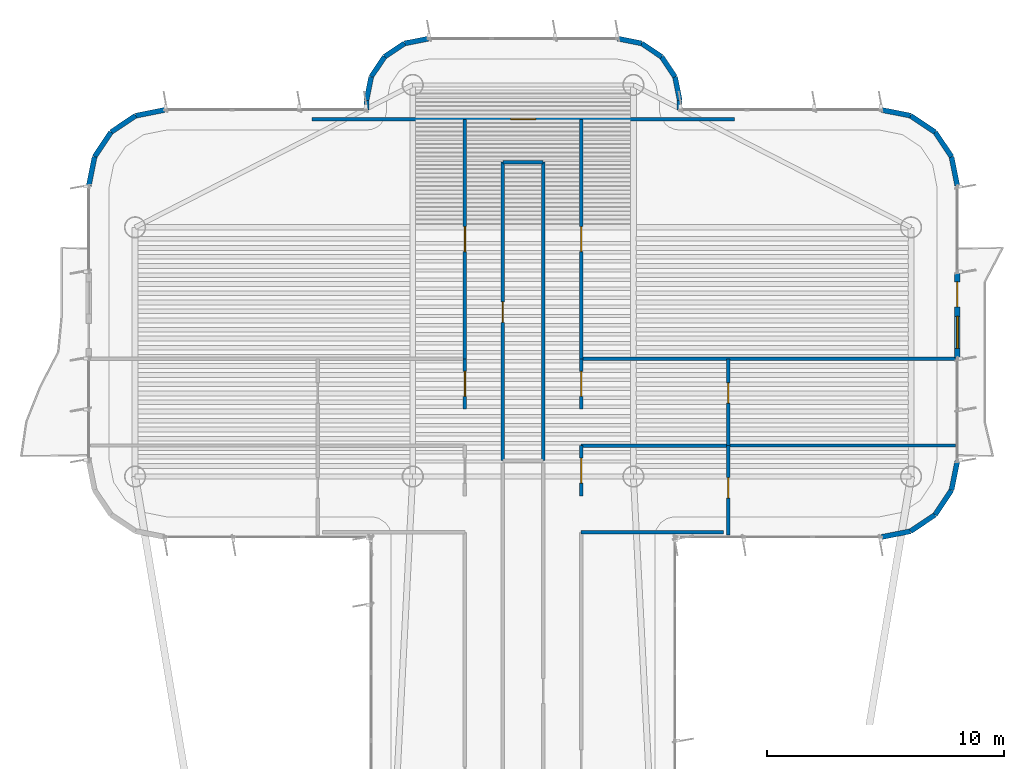
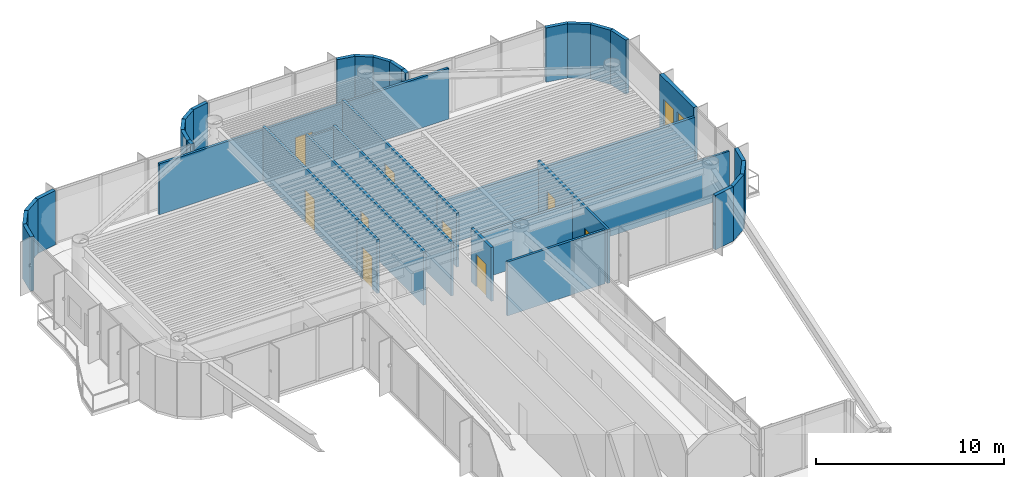
# One storey, part 12 of 15: 38 walls, 10 doors, 1 window, 11 openings.
"""IFC4 building model written with IfcOpenShell, lengths in metres."""

import ifcopenshell
import ifcopenshell.guid

model = None  # the IFC model being written
_history = None  # IfcOwnerHistory: only IFC2X3 demands one
_inside = {}  # id of a spatial element -> (the spatial element, [elements in it])
_under = {}  # id of a project, library or spatial element -> (it, [spatial elements below it])
_declared = {}  # id of a project -> (the project, [libraries it declares])
_typed = {}  # id of a type object -> (the type object, [elements of that type])
_made_of = {}  # id of a material, layer set ... -> (it, [elements and type objects made of it])


def new_model(schema):
    """Start an empty IFC model of exactly this schema.

    Asked for "IFC4X3", IfcOpenShell would pick the latest addendum, in which some entities
    have other attributes; the version numbers below select the first issue.
    IFC2X3 requires an IfcOwnerHistory on every rooted entity: one is made here for all.
    """
    global model, _history
    if schema == "IFC4X3":
        model = ifcopenshell.file(schema_version=(4, 3, 0, 0))
    else:
        model = ifcopenshell.file(schema=schema)
    _inside.clear()
    _under.clear()
    _declared.clear()
    _typed.clear()
    _made_of.clear()
    _history = None
    if model.schema == "IFC2X3":
        org = make("IfcOrganization", Name="unknown")
        user = make(
            "IfcPersonAndOrganization",
            ThePerson=make("IfcPerson", FamilyName="unknown"),
            TheOrganization=org,
        )
        app = make(
            "IfcApplication",
            ApplicationDeveloper=org,
            Version="unknown",
            ApplicationFullName="unknown",
            ApplicationIdentifier="unknown",
        )
        _history = make(
            "IfcOwnerHistory",
            OwningUser=user,
            OwningApplication=app,
            ChangeAction="ADDED",
            CreationDate=0,
        )
    return model


def make(cls, **values):
    """One entity of the class cls with the attributes given. An attribute that is None is left unset."""
    return model.create_entity(
        cls, **{name: value for name, value in values.items() if value is not None}
    )


def rooted(cls, **values):
    """An entity with a GlobalId (a new one), such as an element, a storey or a relation."""
    return make(cls, GlobalId=ifcopenshell.guid.new(), OwnerHistory=_history, **values)


def si_unit(unit_type, name, prefix=None):
    """IfcSIUnit, for example si_unit("LENGTHUNIT", "METRE", prefix="MILLI")."""
    return make("IfcSIUnit", UnitType=unit_type, Prefix=prefix, Name=name)


def assignment(units):
    """IfcUnitAssignment: the units of a project."""
    return None if units is None else make("IfcUnitAssignment", Units=units)


def point(xyz):
    """IfcCartesianPoint."""
    return None if xyz is None else make("IfcCartesianPoint", Coordinates=xyz)


def direction(xyz):
    """IfcDirection."""
    return None if xyz is None else make("IfcDirection", DirectionRatios=xyz)


def frame(location, z_axis=None, x_axis=None):
    """IfcAxis2Placement3D, a coordinate frame: its origin and axes. An axis left out is left unset."""
    return make(
        "IfcAxis2Placement3D",
        Location=point(location),
        Axis=direction(z_axis),
        RefDirection=direction(x_axis),
    )


def frame_2d(location, x_axis=None):
    """IfcAxis2Placement2D, a coordinate frame in the plane: its origin and x axis."""
    return make(
        "IfcAxis2Placement2D", Location=point(location), RefDirection=direction(x_axis)
    )


def origin():
    """The frame at (0, 0, 0) with its axes left unset."""
    return frame((0.0, 0.0, 0.0))


def origin_2d():
    """The frame at (0, 0) in the plane with its x axis left unset."""
    return frame_2d((0.0, 0.0))


def place(relative_to, where):
    """IfcLocalPlacement: puts the frame where relative to a parent placement (None: the world)."""
    return make(
        "IfcLocalPlacement", PlacementRelTo=relative_to, RelativePlacement=where
    )


def context(
    kind, dimensions, precision=None, world=None, true_north=None, identifier=None
):
    """IfcGeometricRepresentationContext, for example the 3D "Model" context."""
    return make(
        "IfcGeometricRepresentationContext",
        ContextIdentifier=identifier,
        ContextType=kind,
        CoordinateSpaceDimension=dimensions,
        Precision=precision,
        WorldCoordinateSystem=world,
        TrueNorth=true_north,
    )


def subcontext(parent, identifier, kind, view, scale=None):
    """IfcGeometricRepresentationSubContext, for example "Body" below "Model"."""
    return make(
        "IfcGeometricRepresentationSubContext",
        ContextIdentifier=identifier,
        ContextType=kind,
        ParentContext=parent,
        TargetScale=scale,
        TargetView=view,
    )


def project(units=None, contexts=None):
    """IfcProject with its units and contexts."""
    return rooted(
        "IfcProject",
        Name="project",
        RepresentationContexts=contexts,
        UnitsInContext=assignment(units),
    )


def spatial(cls, under=None, at=None, **own):
    """A site, building, storey or space (cls), placed at a placement, below another one or the project."""
    s = rooted(cls, ObjectPlacement=at, **own)
    if under is not None:
        _under.setdefault(under.id(), (under, []))[1].append(s)
    return s


def profile(cls, at=None, kind="AREA", **sizes):
    """A parametric profile (cls). Its sizes go by their IFC names, for example OverallWidth=200.0."""
    return make(cls, ProfileType=kind, Position=at, **sizes)


def rectangle(**sizes):
    """IfcRectangleProfileDef."""
    return profile("IfcRectangleProfileDef", **sizes)


def extrude(swept, where, along, depth):
    """IfcExtrudedAreaSolid: the profile swept, set in the frame where, extruded along a direction by depth."""
    return make(
        "IfcExtrudedAreaSolid",
        SweptArea=swept,
        Position=where,
        ExtrudedDirection=direction(along),
        Depth=depth,
    )


def shape(context_of_items, identifier, shape_type, items):
    """IfcShapeRepresentation: the items that make up one representation, for example the "Body"."""
    return make(
        "IfcShapeRepresentation",
        ContextOfItems=context_of_items,
        RepresentationIdentifier=identifier,
        RepresentationType=shape_type,
        Items=items,
    )


def source(mapping_origin, context_of_items, identifier, shape_type, items):
    """IfcRepresentationMap: a shape defined once, which mapped items show again and again."""
    return make(
        "IfcRepresentationMap",
        MappingOrigin=mapping_origin,
        MappedRepresentation=shape(context_of_items, identifier, shape_type, items),
    )


def transform(
    local_origin,
    x_axis=None,
    y_axis=None,
    z_axis=None,
    scale=None,
    scale2=None,
    scale3=None,
    uniform=True,
):
    """IfcCartesianTransformationOperator3D, or its non-uniform kind. x_axis, y_axis, z_axis: its Axis1, 2, 3."""
    if uniform:
        return make(
            "IfcCartesianTransformationOperator3D",
            Axis1=direction(x_axis),
            Axis2=direction(y_axis),
            LocalOrigin=point(local_origin),
            Scale=scale,
            Axis3=direction(z_axis),
        )
    return make(
        "IfcCartesianTransformationOperator3DnonUniform",
        Axis1=direction(x_axis),
        Axis2=direction(y_axis),
        LocalOrigin=point(local_origin),
        Scale=scale,
        Axis3=direction(z_axis),
        Scale2=scale2,
        Scale3=scale3,
    )


def mapped(mapping_source, mapping_target):
    """IfcMappedItem: shows the shape of a source again, moved by a transform."""
    return make(
        "IfcMappedItem", MappingSource=mapping_source, MappingTarget=mapping_target
    )


def material(Name=None, Category=None):
    """IfcMaterial."""
    return make("IfcMaterial", Name=Name, Category=Category)


def layer(
    of_material, thickness, ventilated=None, Name=None, Category=None, Priority=None
):
    """IfcMaterialLayer: one layer of a wall or slab, of a material (None: an air gap)."""
    return make(
        "IfcMaterialLayer",
        Material=of_material,
        LayerThickness=thickness,
        IsVentilated=ventilated,
        Name=Name,
        Category=Category,
        Priority=Priority,
    )


def layer_set(layers, Name=None):
    """IfcMaterialLayerSet."""
    return make("IfcMaterialLayerSet", MaterialLayers=layers, LayerSetName=Name)


def made_of(thing, what):
    """Note that an element or type object is made of a material, layer set ...; save() writes the relation."""
    if what is not None:
        _made_of.setdefault(what.id(), (what, []))[1].append(thing)
    return thing


def type_object(cls, material=None, **own):
    """A type object (cls), such as IfcWallType, which elements share."""
    return made_of(rooted(cls, **own), material)


def element(
    cls,
    number,
    at=None,
    inside=None,
    cuts=None,
    type_object=None,
    material=None,
    context=None,
    identifier="Body",
    shape_type=None,
    held_by="IfcProductDefinitionShape",
    body=None,
    shapes=None,
    **own,
):
    """One element of the class cls, such as IfcWall. Its Tag is "e" and its number.

    at: its placement. inside: the storey or other place that contains it. cuts: it is an
    opening in that element (IfcRelVoidsElement). A single representation is given by context,
    identifier, shape_type and body (its items); several are given by shapes. held_by: the class
    of the entity that holds the representations. save() writes the other relations.
    """
    e = rooted(cls, Tag="e%d" % number, ObjectPlacement=at, **own)
    if body is not None:
        shapes = [shape(context, identifier, shape_type, body)]
    if shapes is not None:
        e.Representation = make(held_by, Representations=shapes)
    if inside is not None:
        _inside.setdefault(inside.id(), (inside, []))[1].append(e)
    if cuts is not None:
        rooted(
            "IfcRelVoidsElement", RelatingBuildingElement=cuts, RelatedOpeningElement=e
        )
    if type_object is not None:
        _typed.setdefault(type_object.id(), (type_object, []))[1].append(e)
    return made_of(e, material)


def fill(opening, filler):
    """IfcRelFillsElement: the door or window that sits in an opening."""
    return rooted(
        "IfcRelFillsElement",
        RelatingOpeningElement=opening,
        RelatedBuildingElement=filler,
    )


def aggregate(whole, parts):
    """IfcRelAggregates: a whole, such as a stair, and the parts it consists of."""
    return rooted("IfcRelAggregates", RelatingObject=whole, RelatedObjects=parts)


def save(model, path):
    """Write the relations noted so far, then the file.

    IfcRelAggregates (storeys below a building ...), IfcRelContainedInSpatialStructure (elements
    in a storey), IfcRelDefinesByType, IfcRelAssociatesMaterial and IfcRelDeclares: one each for
    every whole, place, type object, material and project.
    """
    for whole, parts in _under.values():
        aggregate(whole, parts)
    for where, things in _inside.values():
        rooted(
            "IfcRelContainedInSpatialStructure",
            RelatedElements=things,
            RelatingStructure=where,
        )
    for kind, things in _typed.values():
        rooted("IfcRelDefinesByType", RelatedObjects=things, RelatingType=kind)
    for what, things in _made_of.values():
        rooted("IfcRelAssociatesMaterial", RelatedObjects=things, RelatingMaterial=what)
    for by, libraries in _declared.values():
        rooted("IfcRelDeclares", RelatingContext=by, RelatedDefinitions=libraries)
    model.write(path)


model = new_model("IFC4")

# Units and contexts
model_context = context("Model", 3, precision=1e-05, world=origin(), true_north=direction((0.0, 1.0)))
body_context = subcontext(model_context, "Body", "Model", "MODEL_VIEW")
ifc_project = project(units=[si_unit("LENGTHUNIT", "METRE"), si_unit("AREAUNIT", "SQUARE_METRE"), si_unit("VOLUMEUNIT", "CUBIC_METRE"), si_unit("PLANEANGLEUNIT", "RADIAN"), si_unit("MASSUNIT", "GRAM", prefix="KILO")], contexts=[model_context])

# Site, building, storey
site_placement = place(None, origin())
site = spatial("IfcSite", under=ifc_project, at=site_placement, CompositionType="ELEMENT")
building_placement = place(site_placement, origin())
building = spatial("IfcBuilding", under=site, at=building_placement, Name="Brelvock Crest Care Tower", CompositionType="ELEMENT")
storey_placement = place(building_placement, frame((0.0, 0.0, 245.699951171875)))
storey = spatial("IfcBuildingStorey", under=building, at=storey_placement, Name="L62", CompositionType="ELEMENT", Elevation=245.699951171875)

# Wall, openings, door, window
ifc_material_1 = material(Name="Precast concrete N40 (40 MPa)", Category="concrete")
ifc_layer_1 = layer(ifc_material_1, 0.239990234375, Name="WL-EX1")
ifc_layer_set_1 = layer_set([ifc_layer_1], Name="Precast concrete N40 (40 MPa)")
wall_type_1 = type_object("IfcWallType", Name="WL-EX1", PredefinedType="SOLIDWALL", material=ifc_layer_set_1)
wall_1_placement = place(storey_placement, frame((54.300048828125, 52.550048828125, 0.0), z_axis=(0.0, 0.0, 1.0), x_axis=(0.0, -1.0, 0.0)))
wall_1 = element("IfcWall", 1, at=wall_1_placement, inside=storey, type_object=wall_type_1, Name="L62 Exterior Spandrel Wall WL-BAL-L62-E", PredefinedType="SOLIDWALL", context=body_context, shape_type="SweptSolid", body=[
    extrude(rectangle(XDim=3.60009765625, YDim=0.239990234375, at=frame_2d((1.800048828125, 0.0))), origin(), (0.0, 0.0, 1.0), 3.530029296875),
])
opening_1_placement = place(wall_1_placement, frame((0.39990234375, 0.0, 0.0)))
opening_1 = element("IfcOpeningElement", 2, at=opening_1_placement, cuts=wall_1, Name="Opening BD-1", PredefinedType="OPENING", context=body_context, shape_type="SweptSolid", body=[
    extrude(rectangle(XDim=1.050048828125, YDim=2.14990234375, at=origin_2d()), frame((0.52490234375, 0.1298828125, 1.074951171875), z_axis=(0.0, -1.0, 0.0), x_axis=(1.0, 0.0, 0.0)), (0.0, 0.0, 1.0), 0.260009765625),
])
opening_2_placement = place(wall_1_placement, frame((1.85009765625, 0.0, 0.85009765625)))
opening_2 = element("IfcOpeningElement", 3, at=opening_2_placement, cuts=wall_1, Name="Opening W-01", PredefinedType="OPENING", context=body_context, shape_type="SweptSolid", body=[
    extrude(rectangle(XDim=1.35009765625, YDim=1.35009765625, at=origin_2d()), frame((0.675048828125, 0.1298828125, 0.675048828125), z_axis=(0.0, -1.0, 0.0), x_axis=(1.0, 0.0, 0.0)), (0.0, 0.0, 1.0), 0.260009765625),
])
ifc_material_2 = material(Name="Dark Glass Double Glazed Low-E", Category="glass")
door_type_1 = type_object("IfcDoorType", Name="DR-BAL1", OperationType="NOTDEFINED", PredefinedType="DOOR", material=ifc_material_2)
shared_shape_1 = source(origin(), body_context, "Body", "SweptSolid", [
    extrude(rectangle(XDim=1.050048828125, YDim=2.14990234375, at=origin_2d()), frame((0.52490234375, 0.02490234375, 1.074951171875), z_axis=(0.0, -1.0, 0.0), x_axis=(1.0, 0.0, 0.0)), (0.0, 0.0, 1.0), 0.050048828125),
])
door_1_placement = place(opening_1_placement, origin())
door_1 = element("IfcDoor", 4, at=door_1_placement, inside=storey, type_object=door_type_1, Name="L62 E Wave Balcony Glazed Door", OperationType="SINGLE_SWING_RIGHT", OverallHeight=2.14990234375, OverallWidth=1.050048828125, PredefinedType="DOOR", context=body_context, shape_type="MappedRepresentation", body=[
    mapped(shared_shape_1, transform((0.0, 0.0, 0.0), x_axis=(1.0, 0.0, 0.0), y_axis=(0.0, 1.0, 0.0), z_axis=(0.0, 0.0, 1.0), scale=1.0)),
])
fill(opening_1, door_1)
window_type = type_object("IfcWindowType", Name="WN-EX1", PartitioningType="SINGLE_PANEL", PredefinedType="WINDOW", material=ifc_material_2)
shared_shape_2 = source(origin(), body_context, "Body", "SweptSolid", [
    extrude(rectangle(XDim=1.35009765625, YDim=1.35009765625, at=origin_2d()), frame((0.675048828125, 0.030029296875, 0.675048828125), z_axis=(0.0, -1.0, 0.0), x_axis=(1.0, 0.0, 0.0)), (0.0, 0.0, 1.0), 0.06005859375),
])
window_placement = place(opening_2_placement, origin())
window = element("IfcWindow", 5, at=window_placement, inside=storey, type_object=window_type, Name="L62 E Suite Casement Window", OverallHeight=1.35009765625, OverallWidth=1.35009765625, PartitioningType="SINGLE_PANEL", PredefinedType="WINDOW", context=body_context, shape_type="MappedRepresentation", body=[
    mapped(shared_shape_2, transform((0.0, 0.0, 0.0), x_axis=(1.0, 0.0, 0.0), y_axis=(0.0, 1.0, 0.0), z_axis=(0.0, 0.0, 1.0), scale=1.0)),
])
fill(opening_2, window)

# Walls
ifc_layer_2 = layer(ifc_material_1, 0.215087890625, Name="WL-EX2")
ifc_layer_set_2 = layer_set([ifc_layer_2], Name="Precast concrete N40 (40 MPa)")
wall_type_2 = type_object("IfcWallType", Name="WL-EX2", PredefinedType="SOLIDWALL", material=ifc_layer_set_2)
for number, where, z_axis, x_axis, name in (
    (6, (17.699951171875, 56.199951171875, 0.0), (0.0, 0.0, 1.0), (0.195138390419, 0.980775717779, 0.0), "L62 Rounded Corner Wall 18"),
    (7, (17.943603515625, 57.424560546875, 0.0), (0.0, 0.0, 1.0), (0.555557312883, 0.831478245117, 0.0), "L62 Rounded Corner Wall 19"),
    (8, (18.63720703125, 58.462646484375, 0.0), (0.0, 0.0, 1.0), (0.831387912822, 0.555692485475, 0.0), "L62 Rounded Corner Wall 20"),
    (9, (19.67529296875, 59.156494140625, 0.0), (0.0, 0.0, 1.0), (0.980813122964, 0.194950295773, 0.0), "L62 Rounded Corner Wall 21"),
):
    element("IfcWall", number, at=place(storey_placement, frame(where, z_axis=z_axis, x_axis=x_axis)), inside=storey, type_object=wall_type_2, Name=name, PredefinedType="SOLIDWALL", context=body_context, shape_type="SweptSolid", body=[
        extrude(rectangle(XDim=1.24853515625, YDim=0.215087890625, at=frame_2d((0.624267578125, 0.0))), origin(), (0.0, 0.0, 1.0), 3.530029296875),
    ])
wall_2_placement = place(storey_placement, frame((29.39990234375, 59.39990234375, 0.0), z_axis=(0.0, 0.0, 1.0), x_axis=(0.0, 1.0, 0.0)))
element("IfcWall", 10, at=wall_2_placement, inside=storey, type_object=wall_type_2, Name="L62 Rounded Corner Wall 23", PredefinedType="SOLIDWALL", context=body_context, shape_type="SweptSolid", body=[
    extrude(rectangle(XDim=0.400146484375, YDim=0.215087890625, at=frame_2d((0.2001953125, 0.0))), origin(), (0.0, 0.0, 1.0), 3.530029296875),
])
wall_3_placement = place(storey_placement, frame((29.39990234375, 59.800048828125, 0.0), z_axis=(0.0, 0.0, 1.0), x_axis=(0.195190360752, 0.980765376158, 0.0)))
element("IfcWall", 11, at=wall_3_placement, inside=storey, type_object=wall_type_2, Name="L62 Rounded Corner Wall 24", PredefinedType="SOLIDWALL", context=body_context, shape_type="SweptSolid", body=[
    extrude(rectangle(XDim=1.014404296875, YDim=0.215087890625, at=frame_2d((0.50732421875, 0.0))), origin(), (0.0, 0.0, 1.0), 3.530029296875),
])
wall_4_placement = place(storey_placement, frame((29.597900390625, 60.794921875, 0.0), z_axis=(0.0, 0.0, 1.0), x_axis=(0.555643898837, 0.831420385657, 0.0)))
element("IfcWall", 12, at=wall_4_placement, inside=storey, type_object=wall_type_2, Name="L62 Rounded Corner Wall 25", PredefinedType="SOLIDWALL", context=body_context, shape_type="SweptSolid", body=[
    extrude(rectangle(XDim=1.0146484375, YDim=0.215087890625, at=frame_2d((0.50732421875, 0.0))), origin(), (0.0, 0.0, 1.0), 3.530029296875),
])
wall_5_placement = place(storey_placement, frame((30.16162109375, 61.638427734375, 0.0), z_axis=(0.0, 0.0, 1.0), x_axis=(0.831346067305, 0.555755086685, 0.0)))
element("IfcWall", 13, at=wall_5_placement, inside=storey, type_object=wall_type_2, Name="L62 Rounded Corner Wall 26", PredefinedType="SOLIDWALL", context=body_context, shape_type="SweptSolid", body=[
    extrude(rectangle(XDim=1.014404296875, YDim=0.215087890625, at=frame_2d((0.50732421875, 0.0))), origin(), (0.0, 0.0, 1.0), 3.530029296875),
])
for number, where, z_axis, x_axis, name in (
    (14, (31.0048828125, 62.2021484375, 0.0), (0.0, 0.0, 1.0), (0.980820570666, 0.194912821943, 0.0), "L62 Rounded Corner Wall 27"),
    (15, (40.0, 62.39990234375, 0.0), (0.0, 0.0, 1.0), (0.980820570666, -0.194912821943, 0.0), "L62 Rounded Corner Wall 29"),
):
    element("IfcWall", number, at=place(storey_placement, frame(where, z_axis=z_axis, x_axis=x_axis)), inside=storey, type_object=wall_type_2, Name=name, PredefinedType="SOLIDWALL", context=body_context, shape_type="SweptSolid", body=[
        extrude(rectangle(XDim=1.0146484375, YDim=0.215087890625, at=frame_2d((0.50732421875, 0.0))), origin(), (0.0, 0.0, 1.0), 3.530029296875),
    ])
wall_6_placement = place(storey_placement, frame((40.9951171875, 62.2021484375, 0.0), z_axis=(0.0, 0.0, 1.0), x_axis=(0.831346067305, -0.555755086685, 0.0)))
element("IfcWall", 16, at=wall_6_placement, inside=storey, type_object=wall_type_2, Name="L62 Rounded Corner Wall 30", PredefinedType="SOLIDWALL", context=body_context, shape_type="SweptSolid", body=[
    extrude(rectangle(XDim=1.014404296875, YDim=0.215087890625, at=frame_2d((0.50732421875, 0.0))), origin(), (0.0, 0.0, 1.0), 3.530029296875),
])
wall_7_placement = place(storey_placement, frame((41.83837890625, 61.638427734375, 0.0), z_axis=(0.0, 0.0, 1.0), x_axis=(0.555643898837, -0.831420385657, 0.0)))
element("IfcWall", 17, at=wall_7_placement, inside=storey, type_object=wall_type_2, Name="L62 Rounded Corner Wall 31", PredefinedType="SOLIDWALL", context=body_context, shape_type="SweptSolid", body=[
    extrude(rectangle(XDim=1.0146484375, YDim=0.215087890625, at=frame_2d((0.50732421875, 0.0))), origin(), (0.0, 0.0, 1.0), 3.530029296875),
])
wall_8_placement = place(storey_placement, frame((42.402099609375, 60.794921875, 0.0), z_axis=(0.0, 0.0, 1.0), x_axis=(0.195190360752, -0.980765376158, 0.0)))
element("IfcWall", 18, at=wall_8_placement, inside=storey, type_object=wall_type_2, Name="L62 Rounded Corner Wall 32", PredefinedType="SOLIDWALL", context=body_context, shape_type="SweptSolid", body=[
    extrude(rectangle(XDim=1.014404296875, YDim=0.215087890625, at=frame_2d((0.50732421875, 0.0))), origin(), (0.0, 0.0, 1.0), 3.530029296875),
])
wall_9_placement = place(storey_placement, frame((42.60009765625, 59.800048828125, 0.0), z_axis=(0.0, 0.0, 1.0), x_axis=(0.0, -1.0, 0.0)))
element("IfcWall", 19, at=wall_9_placement, inside=storey, type_object=wall_type_2, Name="L62 Rounded Corner Wall 33", PredefinedType="SOLIDWALL", context=body_context, shape_type="SweptSolid", body=[
    extrude(rectangle(XDim=0.400146484375, YDim=0.215087890625, at=frame_2d((0.2001953125, 0.0))), origin(), (0.0, 0.0, 1.0), 3.530029296875),
])
for number, where, z_axis, x_axis, name in (
    (20, (51.10009765625, 59.39990234375, 0.0), (0.0, 0.0, 1.0), (0.980813122964, -0.194950295773, 0.0), "L62 Rounded Corner Wall 35"),
    (21, (52.32470703125, 59.156494140625, 0.0), (0.0, 0.0, 1.0), (0.831387912822, -0.555692485475, 0.0), "L62 Rounded Corner Wall 36"),
    (22, (53.36279296875, 58.462646484375, 0.0), (0.0, 0.0, 1.0), (0.555557312883, -0.831478245117, 0.0), "L62 Rounded Corner Wall 37"),
    (23, (54.056396484375, 57.424560546875, 0.0), (0.0, 0.0, 1.0), (0.195138390419, -0.980775717779, 0.0), "L62 Rounded Corner Wall 38"),
    (24, (54.300048828125, 44.60009765625, 0.0), (0.0, 0.0, 1.0), (-0.195138390419, -0.980775717779, 0.0), "L62 Rounded Corner Wall 40"),
    (25, (54.056396484375, 43.37548828125, 0.0), (0.0, 0.0, 1.0), (-0.555557312883, -0.831478245117, 0.0), "L62 Rounded Corner Wall 41"),
    (26, (53.36279296875, 42.33740234375, 0.0), (0.0, 0.0, 1.0), (-0.831387912822, -0.555692485475, 0.0), "L62 Rounded Corner Wall 42"),
    (27, (52.32470703125, 41.6435546875, 0.0), (0.0, 0.0, 1.0), (-0.980775717779, -0.195138390419, 0.0), "L62 Rounded Corner Wall 43"),
):
    element("IfcWall", number, at=place(storey_placement, frame(where, z_axis=z_axis, x_axis=x_axis)), inside=storey, type_object=wall_type_2, Name=name, PredefinedType="SOLIDWALL", context=body_context, shape_type="SweptSolid", body=[
        extrude(rectangle(XDim=1.24853515625, YDim=0.215087890625, at=frame_2d((0.624267578125, 0.0))), origin(), (0.0, 0.0, 1.0), 3.530029296875),
    ])
ifc_material_3 = material(Name="Masonry Blockwork Acoustic Partition", Category="masonry")
ifc_layer_3 = layer(ifc_material_3, 0.14990234375, Name="WL-INT1")
ifc_layer_set_3 = layer_set([ifc_layer_3], Name="Masonry Blockwork Acoustic Partition")
wall_type_3 = type_object("IfcWallType", Name="WL-INT1", PredefinedType="PARTITIONING", material=ifc_layer_set_3)
wall_10_placement = place(storey_placement, frame((38.449951171875, 41.60009765625, 0.0), z_axis=(0.0, 0.0, 1.0), x_axis=(1.0, 0.0, 0.0)))
element("IfcWall", 28, at=wall_10_placement, inside=storey, type_object=wall_type_3, Name="L62 Interior Wall WL-BX-L62-CS-ER1A-S", PredefinedType="PARTITIONING", context=body_context, shape_type="SweptSolid", body=[
    extrude(rectangle(XDim=5.993408203125, YDim=0.14990234375, at=frame_2d((2.99658203125, 0.0))), origin(), (0.0, 0.0, 1.0), 3.5),
])
wall_11_placement = place(storey_placement, frame((38.449951171875, 45.25390625, 0.0), z_axis=(0.0, 0.0, 1.0), x_axis=(1.0, 0.0, 0.0)))
element("IfcWall", 29, at=wall_11_placement, inside=storey, type_object=wall_type_3, Name="L62 Interior Wall WL-BX-L62-CS-ER1A-N", PredefinedType="PARTITIONING", context=body_context, shape_type="SweptSolid", body=[
    extrude(rectangle(XDim=6.199951171875, YDim=0.14990234375, at=frame_2d((3.10009765625, 0.0))), origin(), (0.0, 0.0, 1.0), 2.98193359375),
])
wall_12_placement = place(storey_placement, frame((38.449951171875, 48.907958984375, 0.0), z_axis=(0.0, 0.0, 1.0), x_axis=(1.0, 0.0, 0.0)))
element("IfcWall", 30, at=wall_12_placement, inside=storey, type_object=wall_type_3, Name="L62 Interior Wall WL-BX-L62-ERC-S", PredefinedType="PARTITIONING", context=body_context, shape_type="SweptSolid", body=[
    extrude(rectangle(XDim=15.77001953125, YDim=0.14990234375, at=frame_2d((7.885009765625, 0.0))), origin(), (0.0, 0.0, 1.0), 2.98193359375),
])
wall_13_placement = place(storey_placement, frame((35.14990234375, 57.199951171875, 0.0), z_axis=(0.0, 0.0, 1.0), x_axis=(1.0, 0.0, 0.0)))
element("IfcWall", 31, at=wall_13_placement, inside=storey, type_object=wall_type_3, Name="L62 Interior Wall WL-BX-L62-ISKT-N", PredefinedType="PARTITIONING", context=body_context, shape_type="SweptSolid", body=[
    extrude(rectangle(XDim=1.7001953125, YDim=0.14990234375, at=frame_2d((0.85009765625, 0.0))), origin(), (0.0, 0.0, 1.0), 3.30810546875),
])

# Wall, opening, door
wall_14_placement = place(storey_placement, frame((27.10009765625, 59.0, 0.0), z_axis=(0.0, 0.0, 1.0), x_axis=(1.0, 0.0, 0.0)))
wall_14 = element("IfcWall", 32, at=wall_14_placement, inside=storey, type_object=wall_type_3, Name="L62 Interior Wall WL-RM-L62-NHUB", PredefinedType="PARTITIONING", context=body_context, shape_type="SweptSolid", body=[
    extrude(rectangle(XDim=17.7998046875, YDim=0.14990234375, at=frame_2d((8.89990234375, 0.0))), origin(), (0.0, 0.0, 1.0), 3.30810546875),
])
opening_3_placement = place(wall_14_placement, frame((8.375, 0.0, 0.0)))
opening_3 = element("IfcOpeningElement", 33, at=opening_3_placement, cuts=wall_14, Name="Opening CLD-1", PredefinedType="OPENING", context=body_context, shape_type="SweptSolid", body=[
    extrude(rectangle(XDim=1.050048828125, YDim=2.10009765625, at=origin_2d()), frame((0.52490234375, 0.0849609375, 1.050048828125), z_axis=(0.0, -1.0, 0.0), x_axis=(1.0, 0.0, 0.0)), (0.0, 0.0, 1.0), 0.169921875),
])
ifc_material_4 = material(Name="Engineered Hardwood Timber", Category="wood")
door_type_2 = type_object("IfcDoorType", Name="DR-CLN1", OperationType="NOTDEFINED", PredefinedType="DOOR", material=ifc_material_4)
shared_shape_3 = source(origin(), body_context, "Body", "SweptSolid", [
    extrude(rectangle(XDim=1.050048828125, YDim=2.10009765625, at=origin_2d()), frame((0.52490234375, 0.02490234375, 1.050048828125), z_axis=(0.0, -1.0, 0.0), x_axis=(1.0, 0.0, 0.0)), (0.0, 0.0, 1.0), 0.050048828125),
])
door_2_placement = place(opening_3_placement, origin())
door_2 = element("IfcDoor", 34, at=door_2_placement, inside=storey, type_object=door_type_2, Name="L62 North Crest Conservatory Lounge Door NHUB", OperationType="SINGLE_SWING_LEFT", OverallHeight=2.10009765625, OverallWidth=1.050048828125, PredefinedType="DOOR", context=body_context, shape_type="MappedRepresentation", body=[
    mapped(shared_shape_3, transform((0.0, 0.0, 0.0), x_axis=(1.0, 0.0, 0.0), y_axis=(0.0, 1.0, 0.0), z_axis=(0.0, 0.0, 1.0), scale=1.0)),
])
fill(opening_3, door_2)

wall_15_placement = place(storey_placement, frame((33.550048828125, 46.7890625, 0.0), z_axis=(0.0, 0.0, 1.0), x_axis=(0.0, 1.0, 0.0)))
wall_15 = element("IfcWall", 35, at=wall_15_placement, inside=storey, type_object=wall_type_3, Name="L62 Interior Wall WL-CENT-L62-WR1B", PredefinedType="PARTITIONING", context=body_context, shape_type="SweptSolid", body=[
    extrude(rectangle(XDim=2.118896484375, YDim=0.14990234375, at=frame_2d((1.0595703125, 0.0))), origin(), (0.0, 0.0, 1.0), 3.5),
])
opening_4_placement = place(wall_15_placement, frame((0.5390625, 0.0, 0.0)))
opening_4 = element("IfcOpeningElement", 36, at=opening_4_placement, cuts=wall_15, Name="Opening CD-1", PredefinedType="OPENING", context=body_context, shape_type="SweptSolid", body=[
    extrude(rectangle(XDim=1.050048828125, YDim=2.10009765625, at=origin_2d()), frame((0.52490234375, 0.0849609375, 1.050048828125), z_axis=(0.0, -1.0, 0.0), x_axis=(1.0, 0.0, 0.0)), (0.0, 0.0, 1.0), 0.169921875),
])
door_type_3 = type_object("IfcDoorType", Name="DR-CARE1", OperationType="NOTDEFINED", PredefinedType="DOOR", material=ifc_material_4)
shared_shape_4 = source(origin(), body_context, "Body", "SweptSolid", [
    extrude(rectangle(XDim=1.050048828125, YDim=2.10009765625, at=origin_2d()), frame((0.52490234375, 0.02490234375, 1.050048828125), z_axis=(0.0, -1.0, 0.0), x_axis=(1.0, 0.0, 0.0)), (0.0, 0.0, 1.0), 0.050048828125),
])
door_3_placement = place(opening_4_placement, origin())
door_3 = element("IfcDoor", 37, at=door_3_placement, inside=storey, type_object=door_type_3, Name="L62 Care Suite Door WR1B", OperationType="SINGLE_SWING_LEFT", OverallHeight=2.10009765625, OverallWidth=1.050048828125, PredefinedType="DOOR", context=body_context, shape_type="MappedRepresentation", body=[
    mapped(shared_shape_4, transform((0.0, 0.0, 0.0), x_axis=(1.0, 0.0, 0.0), y_axis=(0.0, 1.0, 0.0), z_axis=(0.0, 0.0, 1.0), scale=1.0)),
])
fill(opening_4, door_3)

wall_16_placement = place(storey_placement, frame((33.550048828125, 48.907958984375, 0.0), z_axis=(0.0, 0.0, 1.0), x_axis=(0.0, 1.0, 0.0)))
wall_16 = element("IfcWall", 38, at=wall_16_placement, inside=storey, type_object=wall_type_3, Name="L62 Interior Wall WL-RM-L62-WRC", PredefinedType="PARTITIONING", context=body_context, shape_type="SweptSolid", body=[
    extrude(rectangle(XDim=10.092041015625, YDim=0.14990234375, at=frame_2d((5.0458984375, 0.0))), origin(), (0.0, 0.0, 1.0), 3.5),
])
opening_5_placement = place(wall_16_placement, frame((4.52099609375, 0.0, 0.0)))
opening_5 = element("IfcOpeningElement", 39, at=opening_5_placement, cuts=wall_16, Name="Opening CLD-1", PredefinedType="OPENING", context=body_context, shape_type="SweptSolid", body=[
    extrude(rectangle(XDim=1.050048828125, YDim=2.10009765625, at=origin_2d()), frame((0.52490234375, 0.0849609375, 1.050048828125), z_axis=(0.0, -1.0, 0.0), x_axis=(1.0, 0.0, 0.0)), (0.0, 0.0, 1.0), 0.169921875),
])
door_4_placement = place(opening_5_placement, origin())
door_4 = element("IfcDoor", 40, at=door_4_placement, inside=storey, type_object=door_type_2, Name="L62 Neurological Rehab Studio Door WRC", OperationType="SINGLE_SWING_LEFT", OverallHeight=2.10009765625, OverallWidth=1.050048828125, PredefinedType="DOOR", context=body_context, shape_type="MappedRepresentation", body=[
    mapped(shared_shape_3, transform((0.0, 0.0, 0.0), x_axis=(1.0, 0.0, 0.0), y_axis=(0.0, 1.0, 0.0), z_axis=(0.0, 0.0, 1.0), scale=1.0)),
])
fill(opening_5, door_4)

wall_17_placement = place(storey_placement, frame((35.14990234375, 44.6201171875, 0.0), z_axis=(0.0, 0.0, 1.0), x_axis=(0.0, 1.0, 0.0)))
wall_17 = element("IfcWall", 41, at=wall_17_placement, inside=storey, type_object=wall_type_3, Name="L62 Interior Wall WL-RM-L62-ISKT", PredefinedType="PARTITIONING", context=body_context, shape_type="SweptSolid", body=[
    extrude(rectangle(XDim=12.579833984375, YDim=0.14990234375, at=frame_2d((6.2900390625, 0.0))), origin(), (0.0, 0.0, 1.0), 3.5),
])
opening_6_placement = place(wall_17_placement, frame((5.830078125, 0.0, 0.0)))
opening_6 = element("IfcOpeningElement", 42, at=opening_6_placement, cuts=wall_17, Name="Opening ID-1", PredefinedType="OPENING", context=body_context, shape_type="SweptSolid", body=[
    extrude(rectangle(XDim=0.860107421875, YDim=2.10009765625, at=origin_2d()), frame((0.43017578125, 0.0849609375, 1.050048828125), z_axis=(0.0, -1.0, 0.0), x_axis=(1.0, 0.0, 0.0)), (0.0, 0.0, 1.0), 0.169921875),
])
door_type_4 = type_object("IfcDoorType", Name="DR-INT1", OperationType="NOTDEFINED", PredefinedType="DOOR", material=ifc_material_4)
shared_shape_5 = source(origin(), body_context, "Body", "SweptSolid", [
    extrude(rectangle(XDim=0.860107421875, YDim=2.10009765625, at=origin_2d()), frame((0.43017578125, 0.02490234375, 1.050048828125), z_axis=(0.0, -1.0, 0.0), x_axis=(1.0, 0.0, 0.0)), (0.0, 0.0, 1.0), 0.050048828125),
])
door_5_placement = place(opening_6_placement, origin())
door_5 = element("IfcDoor", 43, at=door_5_placement, inside=storey, type_object=door_type_4, Name="L62 Communal Tea and Nutrition Pantry Door ISKT", OperationType="SINGLE_SWING_LEFT", OverallHeight=2.10009765625, OverallWidth=0.860107421875, PredefinedType="DOOR", context=body_context, shape_type="MappedRepresentation", body=[
    mapped(shared_shape_5, transform((0.0, 0.0, 0.0), x_axis=(1.0, 0.0, 0.0), y_axis=(0.0, 1.0, 0.0), z_axis=(0.0, 0.0, 1.0), scale=1.0)),
])
fill(opening_6, door_5)

# Wall
wall_18_placement = place(storey_placement, frame((36.85009765625, 44.6201171875, 0.0), z_axis=(0.0, 0.0, 1.0), x_axis=(0.0, 1.0, 0.0)))
element("IfcWall", 44, at=wall_18_placement, inside=storey, type_object=wall_type_3, Name="L62 Interior Wall WL-BX-L62-ISKT-E", PredefinedType="PARTITIONING", context=body_context, shape_type="SweptSolid", body=[
    extrude(rectangle(XDim=12.579833984375, YDim=0.14990234375, at=frame_2d((6.2900390625, 0.0))), origin(), (0.0, 0.0, 1.0), 3.5),
])

# Wall, opening, door
wall_19_placement = place(storey_placement, frame((38.449951171875, 43.135009765625, 0.0), z_axis=(0.0, 0.0, 1.0), x_axis=(0.0, 1.0, 0.0)))
wall_19 = element("IfcWall", 45, at=wall_19_placement, inside=storey, type_object=wall_type_3, Name="L62 Interior Wall WL-CENT-L62-ER1A", PredefinedType="PARTITIONING", context=body_context, shape_type="SweptSolid", body=[
    extrude(rectangle(XDim=2.118896484375, YDim=0.14990234375, at=frame_2d((1.0595703125, 0.0))), origin(), (0.0, 0.0, 1.0), 3.5),
])
opening_7_placement = place(wall_19_placement, frame((0.5390625, 0.0, 0.0)))
opening_7 = element("IfcOpeningElement", 46, at=opening_7_placement, cuts=wall_19, Name="Opening CD-1", PredefinedType="OPENING", context=body_context, shape_type="SweptSolid", body=[
    extrude(rectangle(XDim=1.050048828125, YDim=2.10009765625, at=origin_2d()), frame((0.52490234375, 0.0849609375, 1.050048828125), z_axis=(0.0, -1.0, 0.0), x_axis=(1.0, 0.0, 0.0)), (0.0, 0.0, 1.0), 0.169921875),
])
door_6_placement = place(opening_7_placement, origin())
door_6 = element("IfcDoor", 47, at=door_6_placement, inside=storey, type_object=door_type_3, Name="L62 Care Suite Door ER1A", OperationType="SINGLE_SWING_LEFT", OverallHeight=2.10009765625, OverallWidth=1.050048828125, PredefinedType="DOOR", context=body_context, shape_type="MappedRepresentation", body=[
    mapped(shared_shape_4, transform((0.0, 0.0, 0.0), x_axis=(1.0, 0.0, 0.0), y_axis=(0.0, 1.0, 0.0), z_axis=(0.0, 0.0, 1.0), scale=1.0)),
])
fill(opening_7, door_6)

wall_20_placement = place(storey_placement, frame((38.449951171875, 46.7890625, 0.0), z_axis=(0.0, 0.0, 1.0), x_axis=(0.0, 1.0, 0.0)))
wall_20 = element("IfcWall", 48, at=wall_20_placement, inside=storey, type_object=wall_type_3, Name="L62 Interior Wall WL-CENT-L62-ER1B", PredefinedType="PARTITIONING", context=body_context, shape_type="SweptSolid", body=[
    extrude(rectangle(XDim=2.118896484375, YDim=0.14990234375, at=frame_2d((1.0595703125, 0.0))), origin(), (0.0, 0.0, 1.0), 3.5),
])
opening_8_placement = place(wall_20_placement, frame((0.5390625, 0.0, 0.0)))
opening_8 = element("IfcOpeningElement", 49, at=opening_8_placement, cuts=wall_20, Name="Opening CD-1", PredefinedType="OPENING", context=body_context, shape_type="SweptSolid", body=[
    extrude(rectangle(XDim=1.050048828125, YDim=2.10009765625, at=origin_2d()), frame((0.52490234375, 0.0849609375, 1.050048828125), z_axis=(0.0, -1.0, 0.0), x_axis=(1.0, 0.0, 0.0)), (0.0, 0.0, 1.0), 0.169921875),
])
door_7_placement = place(opening_8_placement, origin())
door_7 = element("IfcDoor", 50, at=door_7_placement, inside=storey, type_object=door_type_3, Name="L62 Care Suite Door ER1B", OperationType="SINGLE_SWING_LEFT", OverallHeight=2.10009765625, OverallWidth=1.050048828125, PredefinedType="DOOR", context=body_context, shape_type="MappedRepresentation", body=[
    mapped(shared_shape_4, transform((0.0, 0.0, 0.0), x_axis=(1.0, 0.0, 0.0), y_axis=(0.0, 1.0, 0.0), z_axis=(0.0, 0.0, 1.0), scale=1.0)),
])
fill(opening_8, door_7)

wall_21_placement = place(storey_placement, frame((38.449951171875, 48.907958984375, 0.0), z_axis=(0.0, 0.0, 1.0), x_axis=(0.0, 1.0, 0.0)))
wall_21 = element("IfcWall", 51, at=wall_21_placement, inside=storey, type_object=wall_type_3, Name="L62 Interior Wall WL-RM-L62-ERC", PredefinedType="PARTITIONING", context=body_context, shape_type="SweptSolid", body=[
    extrude(rectangle(XDim=10.092041015625, YDim=0.14990234375, at=frame_2d((5.0458984375, 0.0))), origin(), (0.0, 0.0, 1.0), 3.5),
])
opening_9_placement = place(wall_21_placement, frame((4.52099609375, 0.0, 0.0)))
opening_9 = element("IfcOpeningElement", 52, at=opening_9_placement, cuts=wall_21, Name="Opening CLD-1", PredefinedType="OPENING", context=body_context, shape_type="SweptSolid", body=[
    extrude(rectangle(XDim=1.050048828125, YDim=2.10009765625, at=origin_2d()), frame((0.52490234375, 0.0849609375, 1.050048828125), z_axis=(0.0, -1.0, 0.0), x_axis=(1.0, 0.0, 0.0)), (0.0, 0.0, 1.0), 0.169921875),
])
door_8_placement = place(opening_9_placement, origin())
door_8 = element("IfcDoor", 53, at=door_8_placement, inside=storey, type_object=door_type_2, Name="L62 Cardiopulmonary Rehab Suite Door ERC", OperationType="SINGLE_SWING_LEFT", OverallHeight=2.10009765625, OverallWidth=1.050048828125, PredefinedType="DOOR", context=body_context, shape_type="MappedRepresentation", body=[
    mapped(shared_shape_3, transform((0.0, 0.0, 0.0), x_axis=(1.0, 0.0, 0.0), y_axis=(0.0, 1.0, 0.0), z_axis=(0.0, 0.0, 1.0), scale=1.0)),
])
fill(opening_9, door_8)

wall_22_placement = place(storey_placement, frame((44.64990234375, 41.47998046875, 0.0), z_axis=(0.0, 0.0, 1.0), x_axis=(0.0, 1.0, 0.0)))
wall_22 = element("IfcWall", 54, at=wall_22_placement, inside=storey, type_object=wall_type_3, Name="L62 Interior Wall WL-RM-L62-ER1AS", PredefinedType="PARTITIONING", context=body_context, shape_type="SweptSolid", body=[
    extrude(rectangle(XDim=3.77392578125, YDim=0.14990234375, at=frame_2d((1.886962890625, 0.0))), origin(), (0.0, 0.0, 1.0), 3.5),
])
opening_10_placement = place(wall_22_placement, frame((1.56005859375, 0.0, 0.0)))
opening_10 = element("IfcOpeningElement", 55, at=opening_10_placement, cuts=wall_22, Name="Opening ID-1", PredefinedType="OPENING", context=body_context, shape_type="SweptSolid", body=[
    extrude(rectangle(XDim=0.860107421875, YDim=2.10009765625, at=origin_2d()), frame((0.43017578125, 0.0849609375, 1.050048828125), z_axis=(0.0, -1.0, 0.0), x_axis=(1.0, 0.0, 0.0)), (0.0, 0.0, 1.0), 0.169921875),
])
door_9_placement = place(opening_10_placement, origin())
door_9 = element("IfcDoor", 56, at=door_9_placement, inside=storey, type_object=door_type_4, Name="L62 Rehab Recovery Mobility Store Door ER1AS", OperationType="SINGLE_SWING_LEFT", OverallHeight=2.10009765625, OverallWidth=0.860107421875, PredefinedType="DOOR", context=body_context, shape_type="MappedRepresentation", body=[
    mapped(shared_shape_5, transform((0.0, 0.0, 0.0), x_axis=(1.0, 0.0, 0.0), y_axis=(0.0, 1.0, 0.0), z_axis=(0.0, 0.0, 1.0), scale=1.0)),
])
fill(opening_10, door_9)

wall_23_placement = place(storey_placement, frame((44.64990234375, 45.25390625, 0.0), z_axis=(0.0, 0.0, 1.0), x_axis=(0.0, 1.0, 0.0)))
wall_23 = element("IfcWall", 57, at=wall_23_placement, inside=storey, type_object=wall_type_3, Name="L62 Interior Wall WL-RM-L62-ER1BS", PredefinedType="PARTITIONING", context=body_context, shape_type="SweptSolid", body=[
    extrude(rectangle(XDim=3.654052734375, YDim=0.14990234375, at=frame_2d((1.8271484375, 0.0))), origin(), (0.0, 0.0, 1.0), 3.5),
])
opening_11_placement = place(wall_23_placement, frame((1.785888671875, 0.0, 0.0)))
opening_11 = element("IfcOpeningElement", 58, at=opening_11_placement, cuts=wall_23, Name="Opening ID-1", PredefinedType="OPENING", context=body_context, shape_type="SweptSolid", body=[
    extrude(rectangle(XDim=0.860107421875, YDim=2.10009765625, at=origin_2d()), frame((0.43017578125, 0.0849609375, 1.050048828125), z_axis=(0.0, -1.0, 0.0), x_axis=(1.0, 0.0, 0.0)), (0.0, 0.0, 1.0), 0.169921875),
])
door_10_placement = place(opening_11_placement, origin())
door_10 = element("IfcDoor", 59, at=door_10_placement, inside=storey, type_object=door_type_4, Name="L62 Rehab Recovery Mobility Store Door ER1BS", OperationType="SINGLE_SWING_LEFT", OverallHeight=2.10009765625, OverallWidth=0.860107421875, PredefinedType="DOOR", context=body_context, shape_type="MappedRepresentation", body=[
    mapped(shared_shape_5, transform((0.0, 0.0, 0.0), x_axis=(1.0, 0.0, 0.0), y_axis=(0.0, 1.0, 0.0), z_axis=(0.0, 0.0, 1.0), scale=1.0)),
])
fill(opening_11, door_10)

# Wall
ifc_material_5 = material(Name="Gypsum Plasterboard Partition", Category="gypsum")
ifc_layer_4 = layer(ifc_material_5, 0.1201171875, Name="WL-INT2")
ifc_layer_set_4 = layer_set([ifc_layer_4], Name="Gypsum Plasterboard Partition")
wall_type_4 = type_object("IfcWallType", Name="WL-INT2", PredefinedType="PARTITIONING", material=ifc_layer_set_4)
wall_24_placement = place(storey_placement, frame((44.64990234375, 45.25390625, 0.0), z_axis=(0.0, 0.0, 1.0), x_axis=(1.0, 0.0, 0.0)))
element("IfcWall", 60, at=wall_24_placement, inside=storey, type_object=wall_type_4, Name="L62 Interior Wall WL-BX-L62-ER1AS-N", PredefinedType="PARTITIONING", context=body_context, shape_type="SweptSolid", body=[
    extrude(rectangle(XDim=9.570068359375, YDim=0.1201171875, at=frame_2d((4.78515625, 0.0))), origin(), (0.0, 0.0, 1.0), 2.98193359375),
])

save(model, "model.ifc")
